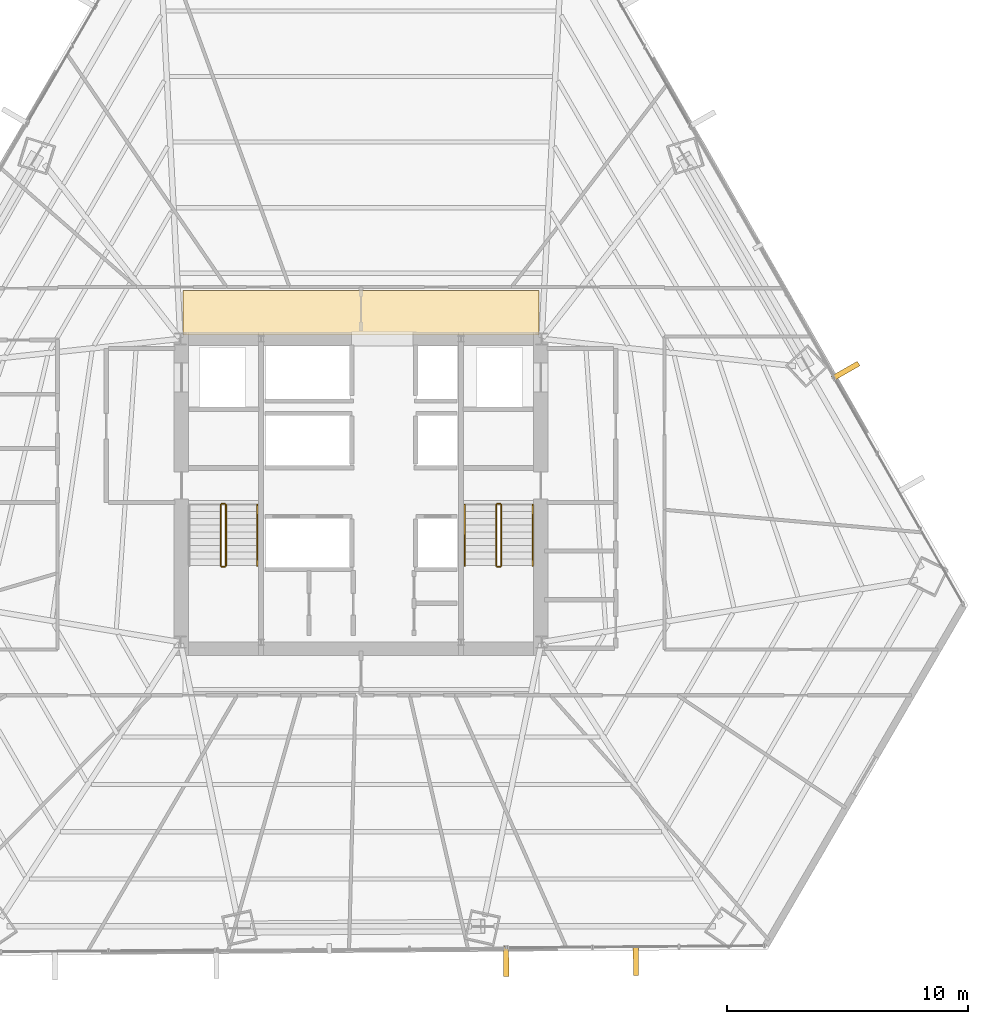
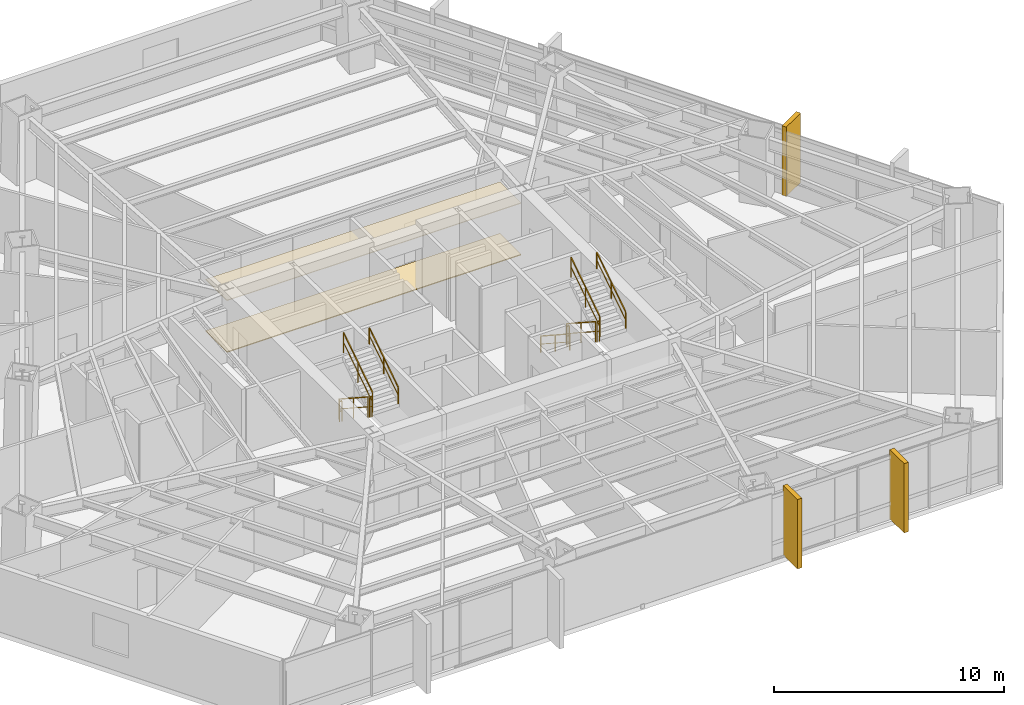
# One storey, part 35 of 36: 11 railings, 5 coverings.
"""IFC4 building model written with IfcOpenShell, lengths in metres."""

from ifc_helpers import new_model, si_unit, direction, frame, origin, origin_2d, place, context, subcontext, project, spatial, polyline, rectangle, outline, extrude, source, transform, mapped, material, layer, layer_set, type_object, type_shapes, element, save


model = new_model("IFC4")

# Units and contexts
model_context = context("Model", 3, precision=1e-05, world=origin(), true_north=direction((0.0, 1.0)))
body_context = subcontext(model_context, "Body", "Model", "MODEL_VIEW")
ifc_project = project(units=[si_unit("LENGTHUNIT", "METRE"), si_unit("AREAUNIT", "SQUARE_METRE"), si_unit("VOLUMEUNIT", "CUBIC_METRE"), si_unit("PLANEANGLEUNIT", "RADIAN"), si_unit("MASSUNIT", "GRAM", prefix="KILO")], contexts=[model_context])

# Site, building, storey
site_placement = place(None, origin())
site = spatial("IfcSite", under=ifc_project, at=site_placement, CompositionType="ELEMENT")
building_placement = place(site_placement, origin())
building = spatial("IfcBuilding", under=site, at=building_placement, Name="Caelisora Broadcast Tower", CompositionType="ELEMENT")
storey_placement = place(building_placement, frame((0.0, 0.0, 64.10009765625)))
storey = spatial("IfcBuildingStorey", under=building, at=storey_placement, Name="L16", CompositionType="ELEMENT", Elevation=64.10009765625)

# Coverings
ifc_material_1 = material(Name="Perforated Mineral-Fibre Acoustic Ceiling Tile", Category="gypsum")
ifc_layer_1 = layer(ifc_material_1, 0.034912109375, Name="Perforated Mineral-Fibre Acoustic Ceiling Tile")
ifc_layer_set_1 = layer_set([ifc_layer_1], Name="Perforated Mineral-Fibre Acoustic Ceiling Tile")
covering_type_1 = type_object("IfcCoveringType", Name="CE-1", PredefinedType="CEILING", material=ifc_layer_set_1)
covering_1_placement = place(storey_placement, frame((0.0, 0.0, 2.75)))
element("IfcCovering", 1, at=covering_1_placement, inside=storey, type_object=covering_type_1, Name="L16 acoustic corridor ceiling CE-1 (N)", PredefinedType="CEILING", context=body_context, shape_type="SweptSolid", body=[
    extrude(outline(polyline([(30.60009765625, 30.14990234375), (45.39990234375, 30.14990234375), (45.39990234375, 32.0), (30.60009765625, 32.0), (30.60009765625, 30.14990234375)])), origin(), (0.0, 0.0, 1.0), 0.034912109375),
])
ifc_material_2 = material(Name="Anti-Static Broadcast Raised Access Floor Panel", Category="steel")
ifc_layer_2 = layer(ifc_material_2, 0.044921875, Name="Anti-Static Broadcast Raised Access Floor Panel")
ifc_layer_set_2 = layer_set([ifc_layer_2], Name="Anti-Static Broadcast Raised Access Floor Panel")
covering_type_2 = type_object("IfcCoveringType", Name="FL-1", PredefinedType="FLOORING", material=ifc_layer_set_2)
covering_2_placement = place(storey_placement, origin())
element("IfcCovering", 2, at=covering_2_placement, inside=storey, type_object=covering_type_2, Name="L16 broadcast raised access floor FL-1 (N)", PredefinedType="FLOORING", context=body_context, shape_type="SweptSolid", body=[
    extrude(outline(polyline([(30.60009765625, 30.14990234375), (45.39990234375, 30.14990234375), (45.39990234375, 32.0), (30.60009765625, 32.0), (30.60009765625, 30.14990234375)])), origin(), (0.0, 0.0, 1.0), 0.044921875),
])

# Railings
ifc_material_3 = material(Name="Galvanised Steel Safety Guardrail", Category="steel")
ifc_layer_3 = layer(ifc_material_3, 0.048095703125, Name="Galvanised Steel Safety Guardrail")
ifc_layer_set_3 = layer_set([ifc_layer_3], Name="Galvanised Steel Safety Guardrail")
railing_type_1 = type_object("IfcRailingType", Name="GR-1", PredefinedType="GUARDRAIL", material=ifc_layer_set_3)
railing_1_placement = place(storey_placement, frame((32.169921875, 23.10009765625, 0.182373046875)))
element("IfcRailing", 3, at=railing_1_placement, inside=storey, type_object=railing_type_1, Name="L16 ST-1 stair guard 1", PredefinedType="GUARDRAIL", context=body_context, shape_type="SweptSolid", body=[
    extrude(rectangle(XDim=0.048095703125, YDim=0.048095703125, at=origin_2d()), frame((0.0, 0.0, 1.076171875), z_axis=(0.0, -0.837749427056, 0.546054848405), x_axis=(1.0, 0.0, 0.0)), (0.0, 0.0, 1.0), 3.008056640625),
    extrude(rectangle(XDim=0.03125, YDim=0.03125, at=origin_2d()), frame((0.0, 0.0, 0.550048828125), z_axis=(0.0, -0.837749427056, 0.546054848405), x_axis=(1.0, 0.0, 0.0)), (0.0, 0.0, 1.0), 3.008056640625),
    extrude(rectangle(XDim=0.0419921875, YDim=0.0419921875, at=origin_2d()), origin(), (0.0, 0.0, 1.0), 1.052001953125),
    extrude(rectangle(XDim=0.0419921875, YDim=0.0419921875, at=origin_2d()), frame((0.0, -1.260009765625, 0.8212890625)), (0.0, 0.0, 1.0), 1.052001953125),
    extrude(rectangle(XDim=0.0419921875, YDim=0.0419921875, at=origin_2d()), frame((0.0, -2.52001953125, 1.642578125)), (0.0, 0.0, 1.0), 1.052001953125),
])
railing_2_placement = place(storey_placement, frame((32.219970703125, 20.530029296875, 1.824951171875)))
element("IfcRailing", 4, at=railing_2_placement, inside=storey, type_object=railing_type_1, Name="L16 ST-1 stair guard 2", PredefinedType="GUARDRAIL", context=body_context, shape_type="SweptSolid", body=[
    extrude(rectangle(XDim=0.048095703125, YDim=0.048095703125, at=origin_2d()), frame((0.0, 0.0, 1.076171875), z_axis=(1.0, 0.0, 0.0), x_axis=(0.0, 1.0, 0.0)), (0.0, 0.0, 1.0), 0.1201171875),
    extrude(rectangle(XDim=0.03125, YDim=0.03125, at=origin_2d()), frame((0.0, 0.0, 0.550048828125), z_axis=(1.0, 0.0, 0.0), x_axis=(0.0, 1.0, 0.0)), (0.0, 0.0, 1.0), 0.1201171875),
    extrude(rectangle(XDim=0.0419921875, YDim=0.0419921875, at=origin_2d()), origin(), (0.0, 0.0, 1.0), 1.052001953125),
    extrude(rectangle(XDim=0.0419921875, YDim=0.0419921875, at=origin_2d()), frame((0.1201171875, 0.0, 0.0)), (0.0, 0.0, 1.0), 1.052001953125),
])
railing_3_placement = place(storey_placement, frame((32.389892578125, 20.580078125, 2.00732421875)))
element("IfcRailing", 5, at=railing_3_placement, inside=storey, type_object=railing_type_1, Name="L16 ST-1 stair guard 3", PredefinedType="GUARDRAIL", context=body_context, shape_type="SweptSolid", body=[
    extrude(rectangle(XDim=0.048095703125, YDim=0.048095703125, at=origin_2d()), frame((0.0, 0.0, 1.076171875), z_axis=(0.0, 0.837749427056, 0.546054848405), x_axis=(-1.0, 0.0, 0.0)), (0.0, 0.0, 1.0), 3.008056640625),
    extrude(rectangle(XDim=0.03125, YDim=0.03125, at=origin_2d()), frame((0.0, 0.0, 0.550048828125), z_axis=(0.0, 0.837749427056, 0.546054848405), x_axis=(-1.0, 0.0, 0.0)), (0.0, 0.0, 1.0), 3.008056640625),
    extrude(rectangle(XDim=0.0419921875, YDim=0.0419921875, at=origin_2d()), origin(), (0.0, 0.0, 1.0), 1.052001953125),
    extrude(rectangle(XDim=0.0419921875, YDim=0.0419921875, at=origin_2d()), frame((0.0, 1.260009765625, 0.8212890625)), (0.0, 0.0, 1.0), 1.052001953125),
    extrude(rectangle(XDim=0.0419921875, YDim=0.0419921875, at=origin_2d()), frame((0.0, 2.52001953125, 1.642578125)), (0.0, 0.0, 1.0), 1.052001953125),
])
railing_4_placement = place(storey_placement, frame((32.219970703125, 23.14990234375, 0.0)))
element("IfcRailing", 6, at=railing_4_placement, inside=storey, type_object=railing_type_1, Name="L16 ST-1 stair guard 4", PredefinedType="GUARDRAIL", context=body_context, shape_type="SweptSolid", body=[
    extrude(rectangle(XDim=0.048095703125, YDim=0.048095703125, at=origin_2d()), frame((0.0, 0.0, 1.076171875), z_axis=(1.0, 0.0, 0.0), x_axis=(0.0, 1.0, 0.0)), (0.0, 0.0, 1.0), 0.1201171875),
    extrude(rectangle(XDim=0.03125, YDim=0.03125, at=origin_2d()), frame((0.0, 0.0, 0.550048828125), z_axis=(1.0, 0.0, 0.0), x_axis=(0.0, 1.0, 0.0)), (0.0, 0.0, 1.0), 0.1201171875),
    extrude(rectangle(XDim=0.0419921875, YDim=0.0419921875, at=origin_2d()), origin(), (0.0, 0.0, 1.0), 1.052001953125),
    extrude(rectangle(XDim=0.0419921875, YDim=0.0419921875, at=origin_2d()), frame((0.1201171875, 0.0, 0.0)), (0.0, 0.0, 1.0), 1.052001953125),
])
railing_5_placement = place(storey_placement, frame((43.610107421875, 23.10009765625, 0.182373046875)))
element("IfcRailing", 7, at=railing_5_placement, inside=storey, type_object=railing_type_1, Name="L16 ST-2 stair guard 1", PredefinedType="GUARDRAIL", context=body_context, shape_type="SweptSolid", body=[
    extrude(rectangle(XDim=0.048095703125, YDim=0.048095703125, at=origin_2d()), frame((0.0, 0.0, 1.076171875), z_axis=(0.0, -0.837749427056, 0.546054848405), x_axis=(1.0, 0.0, 0.0)), (0.0, 0.0, 1.0), 3.008056640625),
    extrude(rectangle(XDim=0.03125, YDim=0.03125, at=origin_2d()), frame((0.0, 0.0, 0.550048828125), z_axis=(0.0, -0.837749427056, 0.546054848405), x_axis=(1.0, 0.0, 0.0)), (0.0, 0.0, 1.0), 3.008056640625),
    extrude(rectangle(XDim=0.0419921875, YDim=0.0419921875, at=origin_2d()), origin(), (0.0, 0.0, 1.0), 1.052001953125),
    extrude(rectangle(XDim=0.0419921875, YDim=0.0419921875, at=origin_2d()), frame((0.0, -1.260009765625, 0.8212890625)), (0.0, 0.0, 1.0), 1.052001953125),
    extrude(rectangle(XDim=0.0419921875, YDim=0.0419921875, at=origin_2d()), frame((0.0, -2.52001953125, 1.642578125)), (0.0, 0.0, 1.0), 1.052001953125),
])
railing_6_placement = place(storey_placement, frame((43.659912109375, 20.530029296875, 1.824951171875)))
element("IfcRailing", 8, at=railing_6_placement, inside=storey, type_object=railing_type_1, Name="L16 ST-2 stair guard 2", PredefinedType="GUARDRAIL", context=body_context, shape_type="SweptSolid", body=[
    extrude(rectangle(XDim=0.048095703125, YDim=0.048095703125, at=origin_2d()), frame((0.0, 0.0, 1.076171875), z_axis=(1.0, 0.0, 0.0), x_axis=(0.0, 1.0, 0.0)), (0.0, 0.0, 1.0), 0.1201171875),
    extrude(rectangle(XDim=0.03125, YDim=0.03125, at=origin_2d()), frame((0.0, 0.0, 0.550048828125), z_axis=(1.0, 0.0, 0.0), x_axis=(0.0, 1.0, 0.0)), (0.0, 0.0, 1.0), 0.1201171875),
    extrude(rectangle(XDim=0.0419921875, YDim=0.0419921875, at=origin_2d()), origin(), (0.0, 0.0, 1.0), 1.052001953125),
    extrude(rectangle(XDim=0.0419921875, YDim=0.0419921875, at=origin_2d()), frame((0.1201171875, 0.0, 0.0)), (0.0, 0.0, 1.0), 1.052001953125),
])
railing_7_placement = place(storey_placement, frame((43.830078125, 20.580078125, 2.00732421875)))
element("IfcRailing", 9, at=railing_7_placement, inside=storey, type_object=railing_type_1, Name="L16 ST-2 stair guard 3", PredefinedType="GUARDRAIL", context=body_context, shape_type="SweptSolid", body=[
    extrude(rectangle(XDim=0.048095703125, YDim=0.048095703125, at=origin_2d()), frame((0.0, 0.0, 1.076171875), z_axis=(0.0, 0.837749427056, 0.546054848405), x_axis=(-1.0, 0.0, 0.0)), (0.0, 0.0, 1.0), 3.008056640625),
    extrude(rectangle(XDim=0.03125, YDim=0.03125, at=origin_2d()), frame((0.0, 0.0, 0.550048828125), z_axis=(0.0, 0.837749427056, 0.546054848405), x_axis=(-1.0, 0.0, 0.0)), (0.0, 0.0, 1.0), 3.008056640625),
    extrude(rectangle(XDim=0.0419921875, YDim=0.0419921875, at=origin_2d()), origin(), (0.0, 0.0, 1.0), 1.052001953125),
    extrude(rectangle(XDim=0.0419921875, YDim=0.0419921875, at=origin_2d()), frame((0.0, 1.260009765625, 0.8212890625)), (0.0, 0.0, 1.0), 1.052001953125),
    extrude(rectangle(XDim=0.0419921875, YDim=0.0419921875, at=origin_2d()), frame((0.0, 2.52001953125, 1.642578125)), (0.0, 0.0, 1.0), 1.052001953125),
])
railing_8_placement = place(storey_placement, frame((43.659912109375, 23.14990234375, 0.0)))
element("IfcRailing", 10, at=railing_8_placement, inside=storey, type_object=railing_type_1, Name="L16 ST-2 stair guard 4", PredefinedType="GUARDRAIL", context=body_context, shape_type="SweptSolid", body=[
    extrude(rectangle(XDim=0.048095703125, YDim=0.048095703125, at=origin_2d()), frame((0.0, 0.0, 1.076171875), z_axis=(1.0, 0.0, 0.0), x_axis=(0.0, 1.0, 0.0)), (0.0, 0.0, 1.0), 0.1201171875),
    extrude(rectangle(XDim=0.03125, YDim=0.03125, at=origin_2d()), frame((0.0, 0.0, 0.550048828125), z_axis=(1.0, 0.0, 0.0), x_axis=(0.0, 1.0, 0.0)), (0.0, 0.0, 1.0), 0.1201171875),
    extrude(rectangle(XDim=0.0419921875, YDim=0.0419921875, at=origin_2d()), origin(), (0.0, 0.0, 1.0), 1.052001953125),
    extrude(rectangle(XDim=0.0419921875, YDim=0.0419921875, at=origin_2d()), frame((0.1201171875, 0.0, 0.0)), (0.0, 0.0, 1.0), 1.052001953125),
])
ifc_material_4 = material(Name="Stainless Steel Grade 316 Tubular Handrail", Category="steel")
ifc_layer_4 = layer(ifc_material_4, 0.048095703125, Name="Stainless Steel Grade 316 Tubular Handrail")
ifc_layer_set_4 = layer_set([ifc_layer_4], Name="Stainless Steel Grade 316 Tubular Handrail")
railing_type_2 = type_object("IfcRailingType", Name="HR-1", PredefinedType="HANDRAIL", material=ifc_layer_set_4)
railing_9_placement = place(storey_placement, frame((33.68994140625, 20.580078125, 2.00732421875)))
element("IfcRailing", 11, at=railing_9_placement, inside=storey, type_object=railing_type_2, Name="L16 ST-1 stair handrail 2", PredefinedType="HANDRAIL", context=body_context, shape_type="SweptSolid", body=[
    extrude(rectangle(XDim=0.048095703125, YDim=0.048095703125, at=origin_2d()), frame((0.0, 0.0, 0.8759765625), z_axis=(0.0, 0.837749427056, 0.546054848405), x_axis=(-1.0, 0.0, 0.0)), (0.0, 0.0, 1.0), 3.008056640625),
    extrude(rectangle(XDim=0.03125, YDim=0.03125, at=origin_2d()), frame((0.0, 0.0, 0.449951171875), z_axis=(0.0, 0.837749427056, 0.546054848405), x_axis=(-1.0, 0.0, 0.0)), (0.0, 0.0, 1.0), 3.008056640625),
    extrude(rectangle(XDim=0.0419921875, YDim=0.0419921875, at=origin_2d()), origin(), (0.0, 0.0, 1.0), 0.851806640625),
    extrude(rectangle(XDim=0.0419921875, YDim=0.0419921875, at=origin_2d()), frame((0.0, 1.260009765625, 0.8212890625)), (0.0, 0.0, 1.0), 0.851806640625),
    extrude(rectangle(XDim=0.0419921875, YDim=0.0419921875, at=origin_2d()), frame((0.0, 2.52001953125, 1.642578125)), (0.0, 0.0, 1.0), 0.851806640625),
])
railing_10_placement = place(storey_placement, frame((42.31005859375, 23.10009765625, 0.182373046875)))
element("IfcRailing", 12, at=railing_10_placement, inside=storey, type_object=railing_type_2, Name="L16 ST-2 stair handrail 1", PredefinedType="HANDRAIL", context=body_context, shape_type="SweptSolid", body=[
    extrude(rectangle(XDim=0.048095703125, YDim=0.048095703125, at=origin_2d()), frame((0.0, 0.0, 0.8759765625), z_axis=(0.0, -0.837749427056, 0.546054848405), x_axis=(1.0, 0.0, 0.0)), (0.0, 0.0, 1.0), 3.008056640625),
    extrude(rectangle(XDim=0.03125, YDim=0.03125, at=origin_2d()), frame((0.0, 0.0, 0.449951171875), z_axis=(0.0, -0.837749427056, 0.546054848405), x_axis=(1.0, 0.0, 0.0)), (0.0, 0.0, 1.0), 3.008056640625),
    extrude(rectangle(XDim=0.0419921875, YDim=0.0419921875, at=origin_2d()), origin(), (0.0, 0.0, 1.0), 0.851806640625),
    extrude(rectangle(XDim=0.0419921875, YDim=0.0419921875, at=origin_2d()), frame((0.0, -1.260009765625, 0.8212890625)), (0.0, 0.0, 1.0), 0.851806640625),
    extrude(rectangle(XDim=0.0419921875, YDim=0.0419921875, at=origin_2d()), frame((0.0, -2.52001953125, 1.642578125)), (0.0, 0.0, 1.0), 0.851806640625),
])
railing_11_placement = place(storey_placement, frame((45.1298828125, 20.580078125, 2.00732421875)))
element("IfcRailing", 13, at=railing_11_placement, inside=storey, type_object=railing_type_2, Name="L16 ST-2 stair handrail 2", PredefinedType="HANDRAIL", context=body_context, shape_type="SweptSolid", body=[
    extrude(rectangle(XDim=0.048095703125, YDim=0.048095703125, at=origin_2d()), frame((0.0, 0.0, 0.8759765625), z_axis=(0.0, 0.837749427056, 0.546054848405), x_axis=(-1.0, 0.0, 0.0)), (0.0, 0.0, 1.0), 3.008056640625),
    extrude(rectangle(XDim=0.03125, YDim=0.03125, at=origin_2d()), frame((0.0, 0.0, 0.449951171875), z_axis=(0.0, 0.837749427056, 0.546054848405), x_axis=(-1.0, 0.0, 0.0)), (0.0, 0.0, 1.0), 3.008056640625),
    extrude(rectangle(XDim=0.0419921875, YDim=0.0419921875, at=origin_2d()), origin(), (0.0, 0.0, 1.0), 0.851806640625),
    extrude(rectangle(XDim=0.0419921875, YDim=0.0419921875, at=origin_2d()), frame((0.0, 1.260009765625, 0.8212890625)), (0.0, 0.0, 1.0), 0.851806640625),
    extrude(rectangle(XDim=0.0419921875, YDim=0.0419921875, at=origin_2d()), frame((0.0, 2.52001953125, 1.642578125)), (0.0, 0.0, 1.0), 0.851806640625),
])

# Coverings
ifc_material_5 = material(Name="Kiln-Fired Terracotta Spandrel Rainscreen Cladding", Category="ceramic")
ifc_layer_5 = layer(ifc_material_5, 0.044921875, Name="Kiln-Fired Terracotta Spandrel Rainscreen Cladding")
ifc_layer_set_5 = layer_set([ifc_layer_5], Name="Kiln-Fired Terracotta Spandrel Rainscreen Cladding")
covering_type_3 = type_object("IfcCoveringType", Name="CL-1", PredefinedType="CLADDING", material=ifc_layer_set_5)
shared_shape = source(origin(), body_context, "Body", "SweptSolid", [
    extrude(rectangle(XDim=0.219970703125, YDim=1.25, at=origin_2d()), origin(), (0.0, 0.0, 1.0), 3.68994140625),
])
type_shapes(covering_type_3, [shared_shape])
for number, where, z_axis, x_axis, name in (
    (14, (58.126220703125, 28.666015625, -0.02001953125), (0.0, 0.0, 1.0), (0.496064966839, -0.868285407383, 0.0), "L16 vertical solar fin cladding #1-3"),
    (15, (49.41748046875, 4.188232421875, -0.02001953125), (0.0, 0.0, 1.0), (-0.99996777165, -0.00802842831, 0.0), "L16 vertical solar fin cladding #2-1"),
    (16, (44.02734375, 4.145263671875, -0.02001953125), (0.0, 0.0, 1.0), (-0.99996777165, -0.00802842831, 0.0), "L16 vertical solar fin cladding #2-2"),
):
    element("IfcCovering", number, at=place(storey_placement, frame(where, z_axis=z_axis, x_axis=x_axis)), inside=storey, type_object=covering_type_3, Name=name, PredefinedType="CLADDING", context=body_context, shape_type="MappedRepresentation", body=[
        mapped(shared_shape, transform((0.0, 0.0, 0.0), scale=1.0)),
    ])

save(model, "model.ifc")
